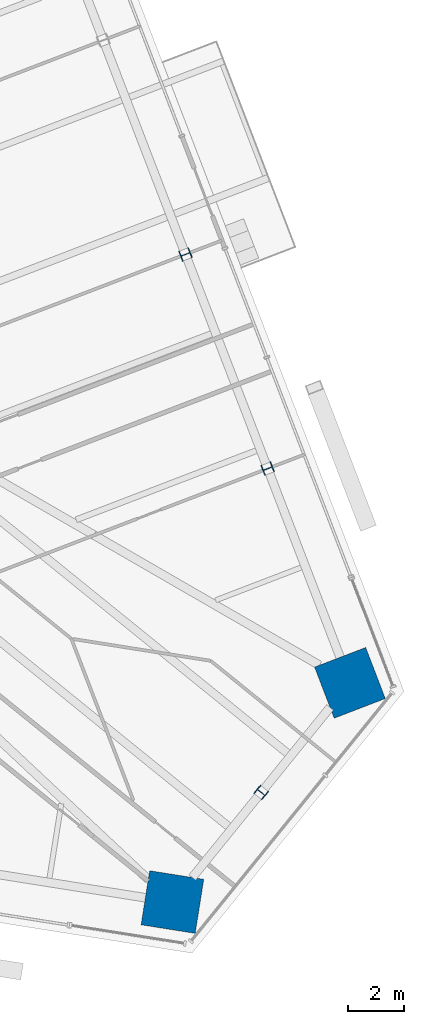
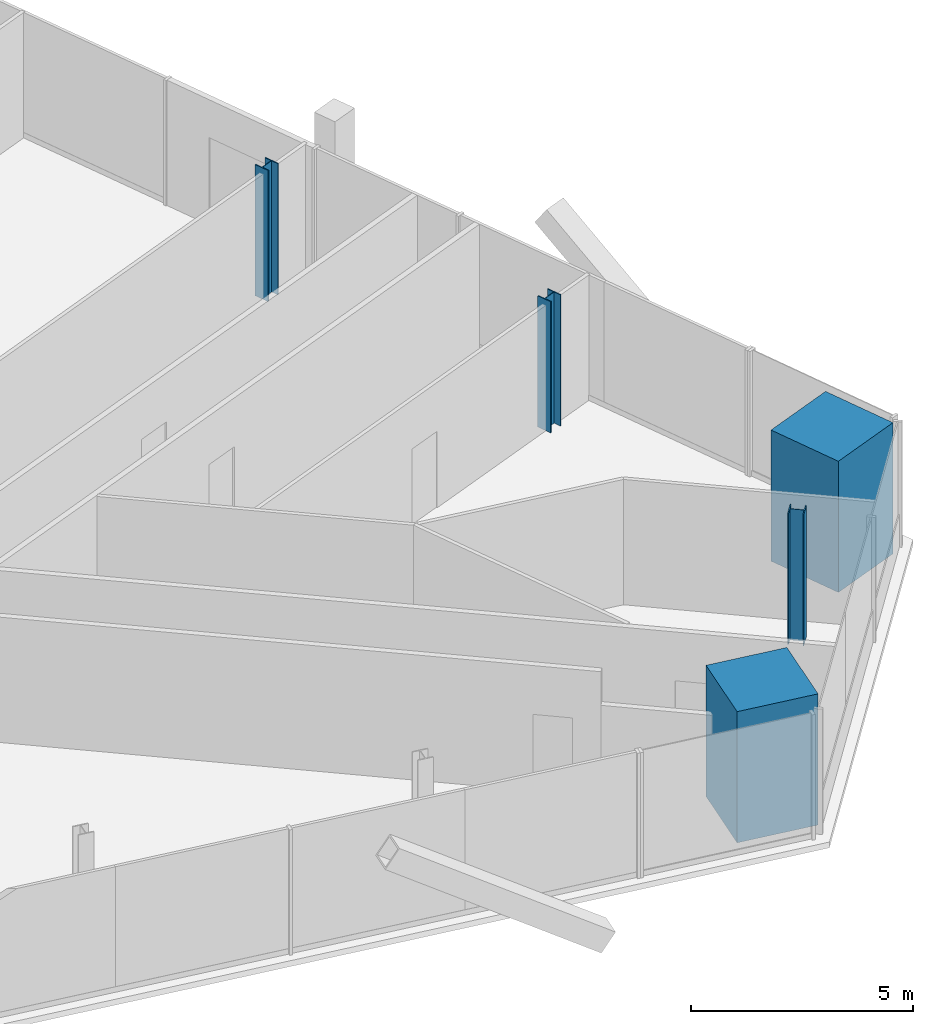
# One storey, part 2 of 19: 5 columns.
"""IFC4 building model written with IfcOpenShell, lengths in metres."""

from ifc_helpers import new_model, si_unit, direction, frame, origin, origin_2d, place, context, subcontext, project, spatial, rectangle, i_section, extrude, source, transform, mapped, material, material_profile, profile_set, type_object, element, save


model = new_model("IFC4")

# Units and contexts
model_context = context("Model", 3, precision=1e-05, world=origin(), true_north=direction((0.0, 1.0)))
body_context = subcontext(model_context, "Body", "Model", "MODEL_VIEW")
ifc_project = project(units=[si_unit("LENGTHUNIT", "METRE"), si_unit("AREAUNIT", "SQUARE_METRE"), si_unit("VOLUMEUNIT", "CUBIC_METRE"), si_unit("PLANEANGLEUNIT", "RADIAN"), si_unit("MASSUNIT", "GRAM", prefix="KILO")], contexts=[model_context])

# Site, building, storey
site_placement = place(None, origin())
site = spatial("IfcSite", under=ifc_project, at=site_placement, CompositionType="ELEMENT")
building_placement = place(site_placement, origin())
building = spatial("IfcBuilding", under=site, at=building_placement, Name="Triune Harvest Tower", CompositionType="ELEMENT")
storey_placement = place(building_placement, frame((0.0, 0.0, 142.5)))
storey = spatial("IfcBuildingStorey", under=building, at=storey_placement, Name="L36", CompositionType="ELEMENT", Elevation=142.5)

# Columns
ifc_material_1 = material(Name="Concrete 70 MPa", Category="concrete")
ifc_material_profile_1 = material_profile(ifc_material_1, rectangle(XDim=1.949951171875, YDim=1.949951171875, at=origin_2d()), Name="Composite 1950x1950")
ifc_profile_set_1 = profile_set([ifc_material_profile_1], Name="Concrete 70 MPa")
column_type_1 = type_object("IfcColumnType", Name="MC-4 Mega column Composite 1950x1950", PredefinedType="COLUMN", material=ifc_profile_set_1)
shared_shape_1 = source(origin(), body_context, "Body", "SweptSolid", [
    extrude(rectangle(XDim=1.949951171875, YDim=1.949951171875, at=origin_2d()), origin(), (0.0, 0.0, 1.0), 3.60009765625),
])
for number, where, z_axis, x_axis, name in (
    (1, (27.425048828125, -15.742431640625, 0.0), (0.0, 0.0, 1.0), (-0.358367949545, 0.933580426497, 0.0), "col/L36/M0"),
    (2, (21.100341796875, -23.552734375, 0.0), (0.0, 0.0, 1.0), (0.987688340595, -0.15643446504, 0.0), "col/L36/M22"),
):
    element("IfcColumn", number, at=place(storey_placement, frame(where, z_axis=z_axis, x_axis=x_axis)), inside=storey, type_object=column_type_1, Name=name, PredefinedType="COLUMN", context=body_context, shape_type="MappedRepresentation", body=[
        mapped(shared_shape_1, transform((0.0, 0.0, 0.0), scale=1.0)),
    ])
ifc_material_2 = material(Name="Steel ASTM A992 Gr 50", Category="steel")
ifc_material_profile_2 = material_profile(ifc_material_2, i_section(OverallWidth=0.373291015625, OverallDepth=0.373291015625, WebThickness=0.016357421875, FlangeThickness=0.026123046875, at=origin_2d()), Name="W14x132")
ifc_profile_set_2 = profile_set([ifc_material_profile_2], Name="Steel ASTM A992 Gr 50")
column_type_2 = type_object("IfcColumnType", Name="PC-4 Perimeter column W14x132", PredefinedType="COLUMN", material=ifc_profile_set_2)
shared_shape_2 = source(origin(), body_context, "Body", "SweptSolid", [
    extrude(i_section(OverallWidth=0.373291015625, OverallDepth=0.373291015625, WebThickness=0.016357421875, FlangeThickness=0.026123046875, at=origin_2d()), origin(), (0.0, 0.0, 1.0), 3.60009765625),
])
for number, where, z_axis, x_axis, name in (
    (3, (24.495361328125, -8.1103515625, 0.0), (0.0, 0.0, 1.0), (-0.358367949545, 0.933580426497, 0.0), "col/L36/P1"),
    (4, (21.565673828125, -0.478271484375, 0.0), (0.0, 0.0, 1.0), (-0.358367949545, 0.933580426497, 0.0), "col/L36/P2"),
    (5, (24.2626953125, -19.647705078125, 1.199951171875), (0.0, 0.0, 1.0), (0.629321747424, 0.777144863084, 0.0), "col/L36/P23"),
):
    element("IfcColumn", number, at=place(storey_placement, frame(where, z_axis=z_axis, x_axis=x_axis)), inside=storey, type_object=column_type_2, Name=name, PredefinedType="COLUMN", context=body_context, shape_type="MappedRepresentation", body=[
        mapped(shared_shape_2, transform((0.0, 0.0, 0.0), scale=1.0)),
    ])

save(model, "model.ifc")
